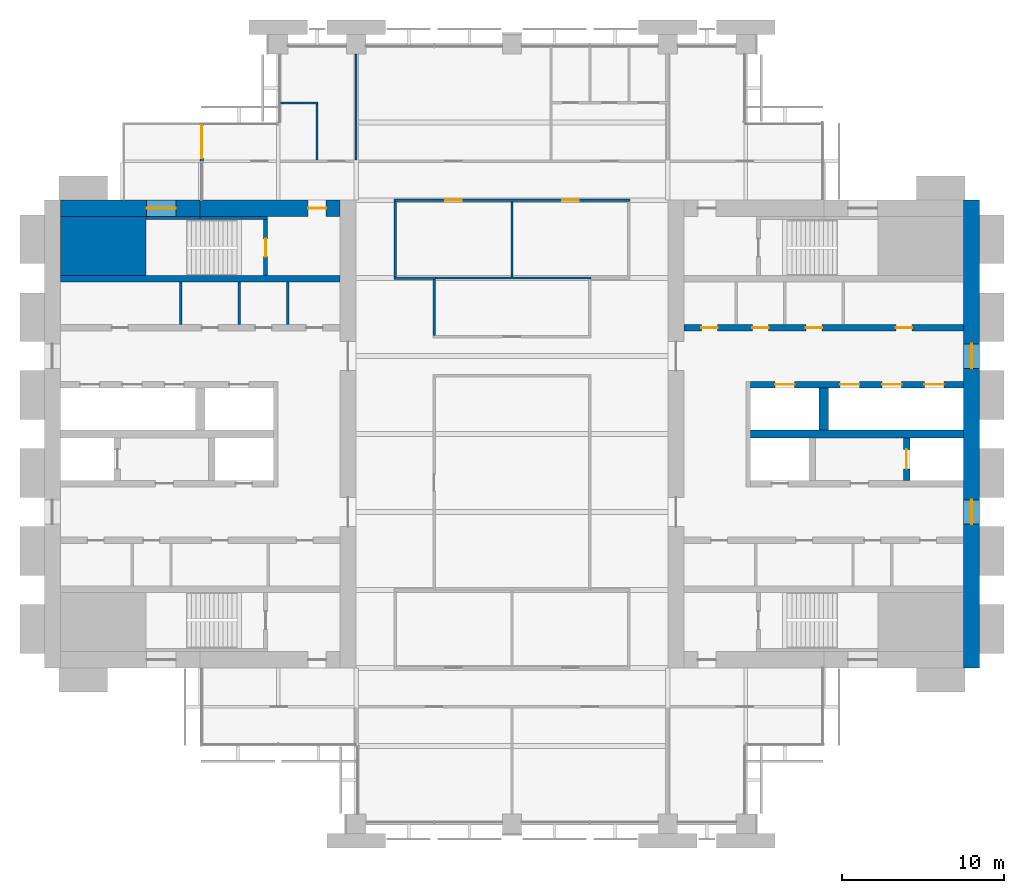
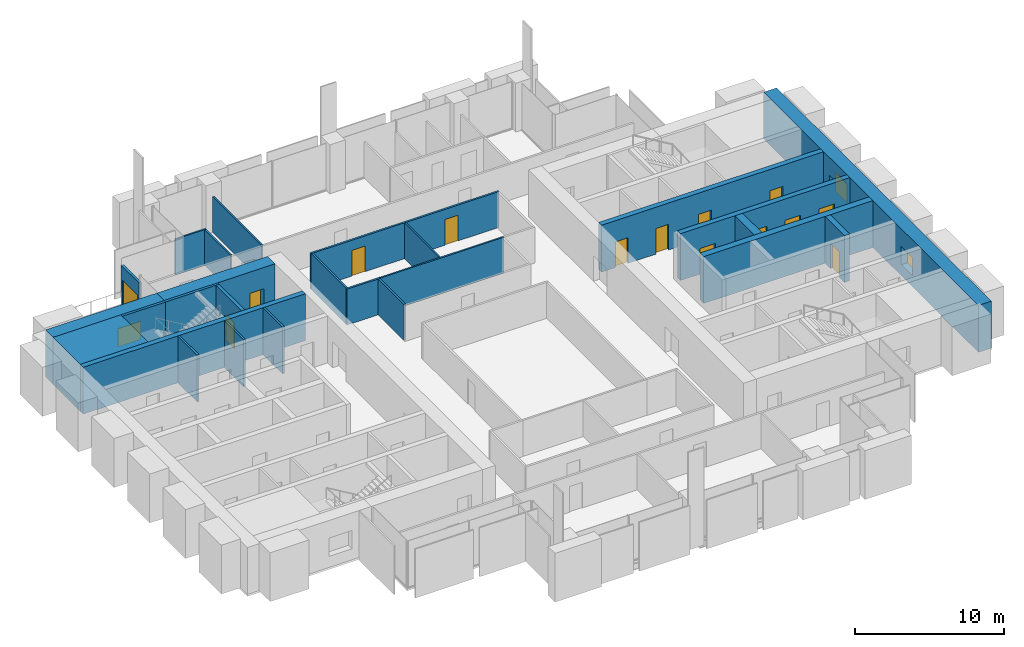
# One storey, part 11 of 14: 26 walls, 14 doors, 3 windows, 17 openings.
"""IFC4 building model written with IfcOpenShell, lengths in metres."""

import ifcopenshell
import ifcopenshell.guid

model = None  # the IFC model being written
_history = None  # IfcOwnerHistory: only IFC2X3 demands one
_inside = {}  # id of a spatial element -> (the spatial element, [elements in it])
_under = {}  # id of a project, library or spatial element -> (it, [spatial elements below it])
_declared = {}  # id of a project -> (the project, [libraries it declares])
_typed = {}  # id of a type object -> (the type object, [elements of that type])
_made_of = {}  # id of a material, layer set ... -> (it, [elements and type objects made of it])


def new_model(schema):
    """Start an empty IFC model of exactly this schema.

    Asked for "IFC4X3", IfcOpenShell would pick the latest addendum, in which some entities
    have other attributes; the version numbers below select the first issue.
    IFC2X3 requires an IfcOwnerHistory on every rooted entity: one is made here for all.
    """
    global model, _history
    if schema == "IFC4X3":
        model = ifcopenshell.file(schema_version=(4, 3, 0, 0))
    else:
        model = ifcopenshell.file(schema=schema)
    _inside.clear()
    _under.clear()
    _declared.clear()
    _typed.clear()
    _made_of.clear()
    _history = None
    if model.schema == "IFC2X3":
        org = make("IfcOrganization", Name="unknown")
        user = make(
            "IfcPersonAndOrganization",
            ThePerson=make("IfcPerson", FamilyName="unknown"),
            TheOrganization=org,
        )
        app = make(
            "IfcApplication",
            ApplicationDeveloper=org,
            Version="unknown",
            ApplicationFullName="unknown",
            ApplicationIdentifier="unknown",
        )
        _history = make(
            "IfcOwnerHistory",
            OwningUser=user,
            OwningApplication=app,
            ChangeAction="ADDED",
            CreationDate=0,
        )
    return model


def make(cls, **values):
    """One entity of the class cls with the attributes given. An attribute that is None is left unset."""
    return model.create_entity(
        cls, **{name: value for name, value in values.items() if value is not None}
    )


def rooted(cls, **values):
    """An entity with a GlobalId (a new one), such as an element, a storey or a relation."""
    return make(cls, GlobalId=ifcopenshell.guid.new(), OwnerHistory=_history, **values)


def si_unit(unit_type, name, prefix=None):
    """IfcSIUnit, for example si_unit("LENGTHUNIT", "METRE", prefix="MILLI")."""
    return make("IfcSIUnit", UnitType=unit_type, Prefix=prefix, Name=name)


def assignment(units):
    """IfcUnitAssignment: the units of a project."""
    return None if units is None else make("IfcUnitAssignment", Units=units)


def point(xyz):
    """IfcCartesianPoint."""
    return None if xyz is None else make("IfcCartesianPoint", Coordinates=xyz)


def direction(xyz):
    """IfcDirection."""
    return None if xyz is None else make("IfcDirection", DirectionRatios=xyz)


def frame(location, z_axis=None, x_axis=None):
    """IfcAxis2Placement3D, a coordinate frame: its origin and axes. An axis left out is left unset."""
    return make(
        "IfcAxis2Placement3D",
        Location=point(location),
        Axis=direction(z_axis),
        RefDirection=direction(x_axis),
    )


def frame_2d(location, x_axis=None):
    """IfcAxis2Placement2D, a coordinate frame in the plane: its origin and x axis."""
    return make(
        "IfcAxis2Placement2D", Location=point(location), RefDirection=direction(x_axis)
    )


def origin():
    """The frame at (0, 0, 0) with its axes left unset."""
    return frame((0.0, 0.0, 0.0))


def place(relative_to, where):
    """IfcLocalPlacement: puts the frame where relative to a parent placement (None: the world)."""
    return make(
        "IfcLocalPlacement", PlacementRelTo=relative_to, RelativePlacement=where
    )


def context(
    kind, dimensions, precision=None, world=None, true_north=None, identifier=None
):
    """IfcGeometricRepresentationContext, for example the 3D "Model" context."""
    return make(
        "IfcGeometricRepresentationContext",
        ContextIdentifier=identifier,
        ContextType=kind,
        CoordinateSpaceDimension=dimensions,
        Precision=precision,
        WorldCoordinateSystem=world,
        TrueNorth=true_north,
    )


def subcontext(parent, identifier, kind, view, scale=None):
    """IfcGeometricRepresentationSubContext, for example "Body" below "Model"."""
    return make(
        "IfcGeometricRepresentationSubContext",
        ContextIdentifier=identifier,
        ContextType=kind,
        ParentContext=parent,
        TargetScale=scale,
        TargetView=view,
    )


def project(units=None, contexts=None):
    """IfcProject with its units and contexts."""
    return rooted(
        "IfcProject",
        Name="project",
        RepresentationContexts=contexts,
        UnitsInContext=assignment(units),
    )


def spatial(cls, under=None, at=None, **own):
    """A site, building, storey or space (cls), placed at a placement, below another one or the project."""
    s = rooted(cls, ObjectPlacement=at, **own)
    if under is not None:
        _under.setdefault(under.id(), (under, []))[1].append(s)
    return s


def profile(cls, at=None, kind="AREA", **sizes):
    """A parametric profile (cls). Its sizes go by their IFC names, for example OverallWidth=200.0."""
    return make(cls, ProfileType=kind, Position=at, **sizes)


def rectangle(**sizes):
    """IfcRectangleProfileDef."""
    return profile("IfcRectangleProfileDef", **sizes)


def extrude(swept, where, along, depth):
    """IfcExtrudedAreaSolid: the profile swept, set in the frame where, extruded along a direction by depth."""
    return make(
        "IfcExtrudedAreaSolid",
        SweptArea=swept,
        Position=where,
        ExtrudedDirection=direction(along),
        Depth=depth,
    )


def shape(context_of_items, identifier, shape_type, items):
    """IfcShapeRepresentation: the items that make up one representation, for example the "Body"."""
    return make(
        "IfcShapeRepresentation",
        ContextOfItems=context_of_items,
        RepresentationIdentifier=identifier,
        RepresentationType=shape_type,
        Items=items,
    )


def material(Name=None, Category=None):
    """IfcMaterial."""
    return make("IfcMaterial", Name=Name, Category=Category)


def layer(
    of_material, thickness, ventilated=None, Name=None, Category=None, Priority=None
):
    """IfcMaterialLayer: one layer of a wall or slab, of a material (None: an air gap)."""
    return make(
        "IfcMaterialLayer",
        Material=of_material,
        LayerThickness=thickness,
        IsVentilated=ventilated,
        Name=Name,
        Category=Category,
        Priority=Priority,
    )


def layer_set(layers, Name=None):
    """IfcMaterialLayerSet."""
    return make("IfcMaterialLayerSet", MaterialLayers=layers, LayerSetName=Name)


def made_of(thing, what):
    """Note that an element or type object is made of a material, layer set ...; save() writes the relation."""
    if what is not None:
        _made_of.setdefault(what.id(), (what, []))[1].append(thing)
    return thing


def type_object(cls, material=None, **own):
    """A type object (cls), such as IfcWallType, which elements share."""
    return made_of(rooted(cls, **own), material)


def element(
    cls,
    number,
    at=None,
    inside=None,
    cuts=None,
    type_object=None,
    material=None,
    context=None,
    identifier="Body",
    shape_type=None,
    held_by="IfcProductDefinitionShape",
    body=None,
    shapes=None,
    **own,
):
    """One element of the class cls, such as IfcWall. Its Tag is "e" and its number.

    at: its placement. inside: the storey or other place that contains it. cuts: it is an
    opening in that element (IfcRelVoidsElement). A single representation is given by context,
    identifier, shape_type and body (its items); several are given by shapes. held_by: the class
    of the entity that holds the representations. save() writes the other relations.
    """
    e = rooted(cls, Tag="e%d" % number, ObjectPlacement=at, **own)
    if body is not None:
        shapes = [shape(context, identifier, shape_type, body)]
    if shapes is not None:
        e.Representation = make(held_by, Representations=shapes)
    if inside is not None:
        _inside.setdefault(inside.id(), (inside, []))[1].append(e)
    if cuts is not None:
        rooted(
            "IfcRelVoidsElement", RelatingBuildingElement=cuts, RelatedOpeningElement=e
        )
    if type_object is not None:
        _typed.setdefault(type_object.id(), (type_object, []))[1].append(e)
    return made_of(e, material)


def fill(opening, filler):
    """IfcRelFillsElement: the door or window that sits in an opening."""
    return rooted(
        "IfcRelFillsElement",
        RelatingOpeningElement=opening,
        RelatedBuildingElement=filler,
    )


def aggregate(whole, parts):
    """IfcRelAggregates: a whole, such as a stair, and the parts it consists of."""
    return rooted("IfcRelAggregates", RelatingObject=whole, RelatedObjects=parts)


def save(model, path):
    """Write the relations noted so far, then the file.

    IfcRelAggregates (storeys below a building ...), IfcRelContainedInSpatialStructure (elements
    in a storey), IfcRelDefinesByType, IfcRelAssociatesMaterial and IfcRelDeclares: one each for
    every whole, place, type object, material and project.
    """
    for whole, parts in _under.values():
        aggregate(whole, parts)
    for where, things in _inside.values():
        rooted(
            "IfcRelContainedInSpatialStructure",
            RelatedElements=things,
            RelatingStructure=where,
        )
    for kind, things in _typed.values():
        rooted("IfcRelDefinesByType", RelatedObjects=things, RelatingType=kind)
    for what, things in _made_of.values():
        rooted("IfcRelAssociatesMaterial", RelatedObjects=things, RelatingMaterial=what)
    for by, libraries in _declared.values():
        rooted("IfcRelDeclares", RelatingContext=by, RelatedDefinitions=libraries)
    model.write(path)


model = new_model("IFC4")

# Units and contexts
model_context = context("Model", 3, precision=1e-05, world=origin(), true_north=direction((0.0, 1.0)))
body_context = subcontext(model_context, "Body", "Model", "MODEL_VIEW")
ifc_project = project(units=[si_unit("LENGTHUNIT", "METRE"), si_unit("AREAUNIT", "SQUARE_METRE"), si_unit("VOLUMEUNIT", "CUBIC_METRE"), si_unit("PLANEANGLEUNIT", "RADIAN"), si_unit("MASSUNIT", "GRAM", prefix="KILO")], contexts=[model_context])

# Site, building, storey
site_placement = place(None, origin())
site = spatial("IfcSite", under=ifc_project, at=site_placement, CompositionType="ELEMENT")
building_placement = place(site_placement, origin())
building = spatial("IfcBuilding", under=site, at=building_placement, Name="Baori Bourse Tower", CompositionType="ELEMENT")
storey_placement = place(building_placement, frame((0.0, 0.0, 168.10009765625)))
storey = spatial("IfcBuildingStorey", under=building, at=storey_placement, Name="L37", CompositionType="ELEMENT", Elevation=168.10009765625)

# Walls
ifc_material_1 = material(Name="Concrete f'c 60 MPa", Category="concrete")
wall_type_1 = type_object("IfcWallType", Name="Core corner block f'c 60", PredefinedType="SHEAR", material=ifc_material_1)
wall_1_placement = place(storey_placement, frame((1.0, 35.574951171875, 0.0), z_axis=(0.0, 0.0, 1.0), x_axis=(1.0, 0.0, 0.0)))
element("IfcWall", 1, at=wall_1_placement, inside=storey, type_object=wall_type_1, Name="Core wall W26", PredefinedType="SHEAR", context=body_context, shape_type="SweptSolid", body=[
    extrude(rectangle(XDim=5.25, YDim=3.64990234375, at=frame_2d((2.625, 0.0))), origin(), (0.0, 0.0, 1.0), 3.83984375),
])
ifc_material_2 = material(Name="Blockwork partition", Category="masonry")
ifc_layer_1 = layer(ifc_material_2, 0.14990234375)
ifc_layer_set_1 = layer_set([ifc_layer_1], Name="Core partition 150")
wall_type_2 = type_object("IfcWallType", Name="Core partition 150", PredefinedType="PARTITIONING", material=ifc_layer_set_1)
for number, where, z_axis, x_axis, name in (
    (2, (8.39990234375, 30.75, 0.0), (0.0, 0.0, 1.0), (0.0, 1.0, 0.0), "Partition wall W22"),
    (3, (12.0, 30.75, 0.0), (0.0, 0.0, 1.0), (0.0, 1.0, 0.0), "Partition wall W23"),
    (4, (15.0, 30.75, 0.0), (0.0, 0.0, 1.0), (0.0, 1.0, 0.0), "Partition wall W24"),
):
    element("IfcWall", number, at=place(storey_placement, frame(where, z_axis=z_axis, x_axis=x_axis)), inside=storey, type_object=wall_type_2, Name=name, PredefinedType="PARTITIONING", context=body_context, shape_type="SweptSolid", body=[
        extrude(rectangle(XDim=2.60009765625, YDim=0.14990234375, at=frame_2d((1.300048828125, 0.0))), origin(), (0.0, 0.0, 1.0), 3.83984375),
    ])

# Wall, opening, window
ifc_material_3 = material(Name="Concrete f'c 60 MPa", Category="concrete")
ifc_layer_2 = layer(ifc_material_3, 1.0)
ifc_layer_set_2 = layer_set([ifc_layer_2], Name="Core wall 1000 f'c 60")
wall_type_3 = type_object("IfcWallType", Name="Core wall 1000 f'c 60", PredefinedType="SHEAR", material=ifc_layer_set_2)
wall_2_placement = place(storey_placement, frame((1.0, 37.89990234375, 0.0), z_axis=(0.0, 0.0, 1.0), x_axis=(1.0, 0.0, 0.0)))
wall_2 = element("IfcWall", 5, at=wall_2_placement, inside=storey, type_object=wall_type_3, Name="Core wall W30", PredefinedType="SHEAR", context=body_context, shape_type="SweptSolid", body=[
    extrude(rectangle(XDim=8.60009765625, YDim=1.0, at=frame_2d((4.300048828125, 0.0))), origin(), (0.0, 0.0, 1.0), 3.83984375),
])
opening_1_placement = place(wall_2_placement, frame((5.300048828125, 0.0, 0.89990234375)))
opening_1 = element("IfcOpeningElement", 6, at=opening_1_placement, cuts=wall_2, Name="Opening L37-KW104", PredefinedType="OPENING", context=body_context, shape_type="SweptSolid", body=[
    extrude(rectangle(XDim=1.800048828125, YDim=1.5, at=frame_2d((0.89990234375, 0.75))), frame((0.0, 0.510009765625, 0.0), z_axis=(0.0, -1.0, 0.0), x_axis=(1.0, 0.0, 0.0)), (0.0, 0.0, 1.0), 1.02001953125),
])
ifc_material_4 = material(Name="Pale anodised aluminium", Category="aluminium")
window_type_1 = type_object("IfcWindowType", Name="Stair window 1800 x 1500", PartitioningType="SINGLE_PANEL", PredefinedType="WINDOW", material=ifc_material_4)
window_1_placement = place(opening_1_placement, origin())
window_1 = element("IfcWindow", 7, at=window_1_placement, inside=storey, type_object=window_type_1, Name="Stair window W L37 4", OverallHeight=1.5, OverallWidth=1.800048828125, PartitioningType="SINGLE_PANEL", PredefinedType="WINDOW", context=body_context, shape_type="SweptSolid", body=[
    extrude(rectangle(XDim=1.800048828125, YDim=1.5, at=frame_2d((0.89990234375, 0.75))), frame((0.0, 0.030029296875, 0.0), z_axis=(0.0, -1.0, 0.0), x_axis=(1.0, 0.0, 0.0)), (0.0, 0.0, 1.0), 0.06005859375),
])
fill(opening_1, window_1)

# Wall, opening, door
wall_3_placement = place(storey_placement, frame((9.60009765625, 37.89990234375, 0.0), z_axis=(0.0, 0.0, 1.0), x_axis=(1.0, 0.0, 0.0)))
wall_3 = element("IfcWall", 8, at=wall_3_placement, inside=storey, type_object=wall_type_3, Name="Core wall W31", PredefinedType="SHEAR", context=body_context, shape_type="SweptSolid", body=[
    extrude(rectangle(XDim=8.599853515625, YDim=1.0, at=frame_2d((4.2998046875, 0.0))), origin(), (0.0, 0.0, 1.0), 3.83984375),
])
opening_2_placement = place(wall_3_placement, frame((6.64990234375, 0.0, 0.0)))
opening_2 = element("IfcOpeningElement", 9, at=opening_2_placement, cuts=wall_3, Name="Opening L37-D104", PredefinedType="OPENING", context=body_context, shape_type="SweptSolid", body=[
    extrude(rectangle(XDim=1.10009765625, YDim=2.10009765625, at=frame_2d((0.550048828125, 1.050048828125))), frame((0.0, 0.510009765625, 0.0), z_axis=(0.0, -1.0, 0.0), x_axis=(1.0, 0.0, 0.0)), (0.0, 0.0, 1.0), 1.02001953125),
])
ifc_material_5 = material(Name="Painted steel door", Category="steel")
door_type_1 = type_object("IfcDoorType", Name="Stair door 1100", OperationType="SINGLE_SWING_LEFT", PredefinedType="DOOR", material=ifc_material_5)
door_1_placement = place(opening_2_placement, origin())
door_1 = element("IfcDoor", 10, at=door_1_placement, inside=storey, type_object=door_type_1, Name="Stair vestibule door B W L37", OperationType="SINGLE_SWING_LEFT", OverallHeight=2.10009765625, OverallWidth=1.10009765625, PredefinedType="DOOR", context=body_context, shape_type="SweptSolid", body=[
    extrude(rectangle(XDim=1.10009765625, YDim=2.10009765625, at=frame_2d((0.550048828125, 1.050048828125))), frame((0.0, 0.02490234375, 0.0), z_axis=(0.0, -1.0, 0.0), x_axis=(1.0, 0.0, 0.0)), (0.0, 0.0, 1.0), 0.050048828125),
])
fill(opening_2, door_1)

# Wall, openings, windows
wall_4_placement = place(storey_placement, frame((57.10009765625, 38.39990234375, 0.0), z_axis=(0.0, 0.0, 1.0), x_axis=(0.0, -1.0, 0.0)))
wall_4 = element("IfcWall", 11, at=wall_4_placement, inside=storey, type_object=wall_type_3, Name="Core wall E01", PredefinedType="SHEAR", context=body_context, shape_type="SweptSolid", body=[
    extrude(rectangle(XDim=28.7998046875, YDim=1.0, at=frame_2d((14.39990234375, 0.0))), origin(), (0.0, 0.0, 1.0), 3.83984375),
])
opening_3_placement = place(wall_4_placement, frame((18.449951171875, 0.0, 0.89990234375)))
opening_3 = element("IfcOpeningElement", 12, at=opening_3_placement, cuts=wall_4, Name="Opening L37-KW201", PredefinedType="OPENING", context=body_context, shape_type="SweptSolid", body=[
    extrude(rectangle(XDim=1.5, YDim=1.5, at=frame_2d((0.75, 0.75))), frame((0.0, 0.510009765625, 0.0), z_axis=(0.0, -1.0, 0.0), x_axis=(1.0, 0.0, 0.0)), (0.0, 0.0, 1.0), 1.02001953125),
])
opening_4_placement = place(wall_4_placement, frame((8.85009765625, 0.0, 0.89990234375)))
opening_4 = element("IfcOpeningElement", 13, at=opening_4_placement, cuts=wall_4, Name="Opening L37-KW202", PredefinedType="OPENING", context=body_context, shape_type="SweptSolid", body=[
    extrude(rectangle(XDim=1.5, YDim=1.5, at=frame_2d((0.75, 0.75))), frame((0.0, 0.510009765625, 0.0), z_axis=(0.0, -1.0, 0.0), x_axis=(1.0, 0.0, 0.0)), (0.0, 0.0, 1.0), 1.02001953125),
])
ifc_material_6 = material(Name="Pale anodised aluminium", Category="aluminium")
window_type_2 = type_object("IfcWindowType", Name="Lobby window 1500 x 1500", PartitioningType="SINGLE_PANEL", PredefinedType="WINDOW", material=ifc_material_6)
window_2_placement = place(opening_3_placement, origin())
window_2 = element("IfcWindow", 14, at=window_2_placement, inside=storey, type_object=window_type_2, Name="Outer wall window E L37 1", OverallHeight=1.5, OverallWidth=1.5, PartitioningType="SINGLE_PANEL", PredefinedType="WINDOW", context=body_context, shape_type="SweptSolid", body=[
    extrude(rectangle(XDim=1.5, YDim=1.5, at=frame_2d((0.75, 0.75))), frame((0.0, 0.030029296875, 0.0), z_axis=(0.0, -1.0, 0.0), x_axis=(1.0, 0.0, 0.0)), (0.0, 0.0, 1.0), 0.06005859375),
])
fill(opening_3, window_2)
window_3_placement = place(opening_4_placement, origin())
window_3 = element("IfcWindow", 15, at=window_3_placement, inside=storey, type_object=window_type_2, Name="Outer wall window E L37 2", OverallHeight=1.5, OverallWidth=1.5, PartitioningType="SINGLE_PANEL", PredefinedType="WINDOW", context=body_context, shape_type="SweptSolid", body=[
    extrude(rectangle(XDim=1.5, YDim=1.5, at=frame_2d((0.75, 0.75))), frame((0.0, 0.030029296875, 0.0), z_axis=(0.0, -1.0, 0.0), x_axis=(1.0, 0.0, 0.0)), (0.0, 0.0, 1.0), 0.06005859375),
])
fill(opening_4, window_3)

# Wall
ifc_material_7 = material(Name="Gypsum board partition")
ifc_layer_3 = layer(ifc_material_7, 0.14990234375)
ifc_layer_set_3 = layer_set([ifc_layer_3], Name="Corridor partition 150")
wall_type_4 = type_object("IfcWallType", Name="Corridor partition 150", PredefinedType="PARTITIONING", material=ifc_layer_set_3)
wall_5_placement = place(storey_placement, frame((21.52490234375, 33.60009765625, 0.0), z_axis=(0.0, 0.0, 1.0), x_axis=(1.0, 0.0, 0.0)))
element("IfcWall", 16, at=wall_5_placement, inside=storey, type_object=wall_type_4, Name="Partition", PredefinedType="PARTITIONING", context=body_context, shape_type="SweptSolid", body=[
    extrude(rectangle(XDim=2.550048828125, YDim=0.14990234375, at=frame_2d((1.27490234375, 0.0))), origin(), (0.0, 0.0, 1.0), 2.935546875),
])

# Wall, openings, doors
wall_6_placement = place(storey_placement, frame((21.52490234375, 38.39990234375, 0.0), z_axis=(0.0, 0.0, 1.0), x_axis=(1.0, 0.0, 0.0)))
wall_6 = element("IfcWall", 17, at=wall_6_placement, inside=storey, type_object=wall_type_4, Name="Partition", PredefinedType="PARTITIONING", context=body_context, shape_type="SweptSolid", body=[
    extrude(rectangle(XDim=14.550048828125, YDim=0.14990234375, at=frame_2d((7.27490234375, 0.0))), origin(), (0.0, 0.0, 1.0), 2.935546875),
])
opening_5_placement = place(wall_6_placement, frame((3.175048828125, 0.0, 0.0)))
opening_5 = element("IfcOpeningElement", 18, at=opening_5_placement, cuts=wall_6, Name="Opening L37-D08", PredefinedType="OPENING", context=body_context, shape_type="SweptSolid", body=[
    extrude(rectangle(XDim=1.0, YDim=2.10009765625, at=frame_2d((0.5, 1.050048828125))), frame((0.0, 0.0849609375, 0.0), z_axis=(0.0, -1.0, 0.0), x_axis=(1.0, 0.0, 0.0)), (0.0, 0.0, 1.0), 0.169921875),
])
opening_6_placement = place(wall_6_placement, frame((10.375, 0.0, 0.0)))
opening_6 = element("IfcOpeningElement", 19, at=opening_6_placement, cuts=wall_6, Name="Opening L37-D09", PredefinedType="OPENING", context=body_context, shape_type="SweptSolid", body=[
    extrude(rectangle(XDim=1.0, YDim=2.10009765625, at=frame_2d((0.5, 1.050048828125))), frame((0.0, 0.0849609375, 0.0), z_axis=(0.0, -1.0, 0.0), x_axis=(1.0, 0.0, 0.0)), (0.0, 0.0, 1.0), 0.169921875),
])
ifc_material_8 = material(Name="Timber door leaf", Category="wood")
door_type_2 = type_object("IfcDoorType", Name="Door 1000 x 2100", OperationType="SINGLE_SWING_LEFT", PredefinedType="DOOR", material=ifc_material_8)
door_2_placement = place(opening_5_placement, origin())
door_2 = element("IfcDoor", 20, at=door_2_placement, inside=storey, type_object=door_type_2, Name="Door", OperationType="SINGLE_SWING_LEFT", OverallHeight=2.10009765625, OverallWidth=1.0, PredefinedType="DOOR", context=body_context, shape_type="SweptSolid", body=[
    extrude(rectangle(XDim=1.0, YDim=2.10009765625, at=frame_2d((0.5, 1.050048828125))), frame((0.0, 0.02490234375, 0.0), z_axis=(0.0, -1.0, 0.0), x_axis=(1.0, 0.0, 0.0)), (0.0, 0.0, 1.0), 0.050048828125),
])
fill(opening_5, door_2)
door_3_placement = place(opening_6_placement, origin())
door_3 = element("IfcDoor", 21, at=door_3_placement, inside=storey, type_object=door_type_2, Name="Door", OperationType="SINGLE_SWING_RIGHT", OverallHeight=2.10009765625, OverallWidth=1.0, PredefinedType="DOOR", context=body_context, shape_type="SweptSolid", body=[
    extrude(rectangle(XDim=1.0, YDim=2.10009765625, at=frame_2d((0.5, 1.050048828125))), frame((0.0, 0.02490234375, 0.0), z_axis=(0.0, -1.0, 0.0), x_axis=(1.0, 0.0, 0.0)), (0.0, 0.0, 1.0), 0.050048828125),
])
fill(opening_6, door_3)

# Walls
wall_7_placement = place(storey_placement, frame((21.60009765625, 33.675048828125, 0.0), z_axis=(0.0, 0.0, 1.0), x_axis=(0.0, 1.0, 0.0)))
element("IfcWall", 22, at=wall_7_placement, inside=storey, type_object=wall_type_4, Name="Partition", PredefinedType="PARTITIONING", context=body_context, shape_type="SweptSolid", body=[
    extrude(rectangle(XDim=4.64990234375, YDim=0.14990234375, at=frame_2d((2.324951171875, 0.0))), origin(), (0.0, 0.0, 1.0), 2.935546875),
])
wall_8_placement = place(storey_placement, frame((24.0, 30.074951171875, 0.0), z_axis=(0.0, 0.0, 1.0), x_axis=(0.0, 1.0, 0.0)))
element("IfcWall", 23, at=wall_8_placement, inside=storey, type_object=wall_type_4, Name="Partition", PredefinedType="PARTITIONING", context=body_context, shape_type="SweptSolid", body=[
    extrude(rectangle(XDim=3.449951171875, YDim=0.14990234375, at=frame_2d((1.72509765625, 0.0))), origin(), (0.0, 0.0, 1.0), 2.935546875),
])

# Wall, opening, door
ifc_material_9 = material(Name="Pale anodised aluminium", Category="aluminium")
ifc_layer_4 = layer(ifc_material_9, 0.199951171875)
ifc_layer_set_4 = layer_set([ifc_layer_4], Name="EW1 External wall bay")
wall_type_5 = type_object("IfcWallType", Name="EW1 External wall bay", PredefinedType="SOLIDWALL", material=ifc_layer_set_4)
wall_9_placement = place(storey_placement, frame((9.699951171875, 43.199951171875, 0.0), z_axis=(0.0, 0.0, 1.0), x_axis=(0.0, -1.0, 0.0)))
wall_9 = element("IfcWall", 24, at=wall_9_placement, inside=storey, type_object=wall_type_5, Name="External wall bay L37 1", PredefinedType="SOLIDWALL", context=body_context, shape_type="SweptSolid", body=[
    extrude(rectangle(XDim=2.39990234375, YDim=0.199951171875, at=frame_2d((1.199951171875, 0.0))), origin(), (0.0, 0.0, 1.0), 3.238037109375),
])
opening_7_placement = place(wall_9_placement, frame((0.199951171875, 0.0, 0.0)))
opening_7 = element("IfcOpeningElement", 25, at=opening_7_placement, cuts=wall_9, Name="Opening L37-D91", PredefinedType="OPENING", context=body_context, shape_type="SweptSolid", body=[
    extrude(rectangle(XDim=2.0, YDim=2.10009765625, at=frame_2d((1.0, 1.050048828125))), frame((0.0, 0.10986328125, 0.0), z_axis=(0.0, -1.0, 0.0), x_axis=(1.0, 0.0, 0.0)), (0.0, 0.0, 1.0), 0.219970703125),
])
ifc_material_10 = material(Name="Pale anodised aluminium", Category="aluminium")
door_type_3 = type_object("IfcDoorType", Name="TR1 Terrace door", OperationType="DOUBLE_DOOR_SINGLE_SWING", PredefinedType="DOOR", material=ifc_material_10)
door_4_placement = place(opening_7_placement, origin())
door_4 = element("IfcDoor", 26, at=door_4_placement, inside=storey, type_object=door_type_3, Name="Terrace door L37 1", OperationType="SINGLE_SWING_LEFT", OverallHeight=2.10009765625, OverallWidth=2.0, PredefinedType="DOOR", context=body_context, shape_type="SweptSolid", body=[
    extrude(rectangle(XDim=2.0, YDim=2.10009765625, at=frame_2d((1.0, 1.050048828125))), frame((0.0, 0.02490234375, 0.0), z_axis=(0.0, -1.0, 0.0), x_axis=(1.0, 0.0, 0.0)), (0.0, 0.0, 1.0), 0.050048828125),
])
fill(opening_7, door_4)

# Walls
ifc_material_11 = material(Name="Gypsum board partition")
ifc_layer_5 = layer(ifc_material_11, 0.125)
ifc_layer_set_5 = layer_set([ifc_layer_5], Name="Partition 125")
wall_type_6 = type_object("IfcWallType", Name="Partition 125", PredefinedType="PARTITIONING", material=ifc_layer_set_5)
wall_10_placement = place(storey_placement, frame((24.074951171875, 33.60009765625, 0.0), z_axis=(0.0, 0.0, 1.0), x_axis=(1.0, 0.0, 0.0)))
element("IfcWall", 27, at=wall_10_placement, inside=storey, type_object=wall_type_6, Name="Partition", PredefinedType="PARTITIONING", context=body_context, shape_type="SweptSolid", body=[
    extrude(rectangle(XDim=9.60009765625, YDim=0.125, at=frame_2d((4.800048828125, 0.0))), origin(), (0.0, 0.0, 1.0), 2.935546875),
])
wall_11_placement = place(storey_placement, frame((14.5, 44.39990234375, 0.0), z_axis=(0.0, 0.0, 1.0), x_axis=(1.0, 0.0, 0.0)))
element("IfcWall", 28, at=wall_11_placement, inside=storey, type_object=wall_type_6, Name="Partition", PredefinedType="PARTITIONING", context=body_context, shape_type="SweptSolid", body=[
    extrude(rectangle(XDim=2.362548828125, YDim=0.125, at=frame_2d((1.18115234375, 0.0))), origin(), (0.0, 0.0, 1.0), 2.935546875),
])
wall_12_placement = place(storey_placement, frame((16.800048828125, 40.875, 0.0), z_axis=(0.0, 0.0, 1.0), x_axis=(0.0, 1.0, 0.0)))
element("IfcWall", 29, at=wall_12_placement, inside=storey, type_object=wall_type_6, Name="Partition", PredefinedType="PARTITIONING", context=body_context, shape_type="SweptSolid", body=[
    extrude(rectangle(XDim=3.46240234375, YDim=0.125, at=frame_2d((1.731201171875, 0.0))), origin(), (0.0, 0.0, 1.0), 2.935546875),
])
wall_13_placement = place(storey_placement, frame((19.199951171875, 40.875, 0.0), z_axis=(0.0, 0.0, 1.0), x_axis=(0.0, 1.0, 0.0)))
element("IfcWall", 30, at=wall_13_placement, inside=storey, type_object=wall_type_6, Name="Partition", PredefinedType="PARTITIONING", context=body_context, shape_type="SweptSolid", body=[
    extrude(rectangle(XDim=6.52490234375, YDim=0.125, at=frame_2d((3.262451171875, 0.0))), origin(), (0.0, 0.0, 1.0), 2.935546875),
])
wall_14_placement = place(storey_placement, frame((28.800048828125, 33.66259765625, 0.0), z_axis=(0.0, 0.0, 1.0), x_axis=(0.0, 1.0, 0.0)))
element("IfcWall", 31, at=wall_14_placement, inside=storey, type_object=wall_type_6, Name="Partition", PredefinedType="PARTITIONING", context=body_context, shape_type="SweptSolid", body=[
    extrude(rectangle(XDim=4.662353515625, YDim=0.125, at=frame_2d((2.3310546875, 0.0))), origin(), (0.0, 0.0, 1.0), 2.935546875),
])
ifc_material_12 = material(Name="Concrete f'c 60 MPa", Category="concrete")
ifc_layer_6 = layer(ifc_material_12, 0.199951171875)
ifc_layer_set_6 = layer_set([ifc_layer_6], Name="Shaft wall 200 f'c 60")
wall_type_7 = type_object("IfcWallType", Name="Shaft wall 200 f'c 60", PredefinedType="SHEAR", material=ifc_layer_set_6)
wall_15_placement = place(storey_placement, frame((6.25, 37.300048828125, 0.0), z_axis=(0.0, 0.0, 1.0), x_axis=(1.0, 0.0, 0.0)))
element("IfcWall", 32, at=wall_15_placement, inside=storey, type_object=wall_type_7, Name="Core wall W28", PredefinedType="SHEAR", context=body_context, shape_type="SweptSolid", body=[
    extrude(rectangle(XDim=3.35009765625, YDim=0.199951171875, at=frame_2d((1.675048828125, 0.0))), origin(), (0.0, 0.0, 1.0), 3.83984375),
])
wall_16_placement = place(storey_placement, frame((9.60009765625, 37.300048828125, 0.0), z_axis=(0.0, 0.0, 1.0), x_axis=(1.0, 0.0, 0.0)))
element("IfcWall", 33, at=wall_16_placement, inside=storey, type_object=wall_type_7, Name="Core wall W29", PredefinedType="SHEAR", context=body_context, shape_type="SweptSolid", body=[
    extrude(rectangle(XDim=4.14990234375, YDim=0.199951171875, at=frame_2d((2.074951171875, 0.0))), origin(), (0.0, 0.0, 1.0), 3.83984375),
])

# Wall, opening, door
ifc_material_13 = material(Name="Concrete f'c 60 MPa", Category="concrete")
ifc_layer_7 = layer(ifc_material_13, 0.25)
ifc_layer_set_7 = layer_set([ifc_layer_7], Name="Shaft wall 250 f'c 60")
wall_type_8 = type_object("IfcWallType", Name="Shaft wall 250 f'c 60", PredefinedType="SHEAR", material=ifc_layer_set_7)
wall_17_placement = place(storey_placement, frame((13.625, 33.75, 0.0), z_axis=(0.0, 0.0, 1.0), x_axis=(0.0, 1.0, 0.0)))
wall_17 = element("IfcWall", 34, at=wall_17_placement, inside=storey, type_object=wall_type_8, Name="Core wall W27", PredefinedType="SHEAR", context=body_context, shape_type="SweptSolid", body=[
    extrude(rectangle(XDim=3.449951171875, YDim=0.25, at=frame_2d((1.72509765625, 0.0))), origin(), (0.0, 0.0, 1.0), 3.83984375),
])
opening_8_placement = place(wall_17_placement, frame((1.175048828125, 0.0, 0.0)))
opening_8 = element("IfcOpeningElement", 35, at=opening_8_placement, cuts=wall_17, Name="Opening L37-D103", PredefinedType="OPENING", context=body_context, shape_type="SweptSolid", body=[
    extrude(rectangle(XDim=1.10009765625, YDim=2.10009765625, at=frame_2d((0.550048828125, 1.050048828125))), frame((0.0, 0.135009765625, 0.0), z_axis=(0.0, -1.0, 0.0), x_axis=(1.0, 0.0, 0.0)), (0.0, 0.0, 1.0), 0.27001953125),
])
door_5_placement = place(opening_8_placement, origin())
door_5 = element("IfcDoor", 36, at=door_5_placement, inside=storey, type_object=door_type_1, Name="Stair door B W L37", OperationType="SINGLE_SWING_LEFT", OverallHeight=2.10009765625, OverallWidth=1.10009765625, PredefinedType="DOOR", context=body_context, shape_type="SweptSolid", body=[
    extrude(rectangle(XDim=1.10009765625, YDim=2.10009765625, at=frame_2d((0.550048828125, 1.050048828125))), frame((0.0, 0.02490234375, 0.0), z_axis=(0.0, -1.0, 0.0), x_axis=(1.0, 0.0, 0.0)), (0.0, 0.0, 1.0), 0.050048828125),
])
fill(opening_8, door_5)

# Wall
ifc_material_14 = material(Name="Concrete f'c 60 MPa", Category="concrete")
ifc_layer_8 = layer(ifc_material_14, 0.39990234375)
ifc_layer_set_8 = layer_set([ifc_layer_8], Name="Shaft wall 400 f'c 60")
wall_type_9 = type_object("IfcWallType", Name="Shaft wall 400 f'c 60", PredefinedType="SHEAR", material=ifc_layer_set_8)
wall_18_placement = place(storey_placement, frame((1.0, 33.550048828125, 0.0), z_axis=(0.0, 0.0, 1.0), x_axis=(1.0, 0.0, 0.0)))
element("IfcWall", 37, at=wall_18_placement, inside=storey, type_object=wall_type_9, Name="Core wall W25", PredefinedType="SHEAR", context=body_context, shape_type="SweptSolid", body=[
    extrude(rectangle(XDim=17.199951171875, YDim=0.39990234375, at=frame_2d((8.60009765625, 0.0))), origin(), (0.0, 0.0, 1.0), 3.83984375),
])

# Wall, opening, door
wall_19_placement = place(storey_placement, frame((53.10009765625, 21.14990234375, 0.0), z_axis=(0.0, 0.0, 1.0), x_axis=(0.0, 1.0, 0.0)))
wall_19 = element("IfcWall", 38, at=wall_19_placement, inside=storey, type_object=wall_type_9, Name="Core wall E16", PredefinedType="SHEAR", context=body_context, shape_type="SweptSolid", body=[
    extrude(rectangle(XDim=2.60009765625, YDim=0.39990234375, at=frame_2d((1.300048828125, 0.0))), origin(), (0.0, 0.0, 1.0), 3.83984375),
])
opening_9_placement = place(wall_19_placement, frame((0.699951171875, 0.0, 0.0)))
opening_9 = element("IfcOpeningElement", 39, at=opening_9_placement, cuts=wall_19, Name="Opening L37-D221", PredefinedType="OPENING", context=body_context, shape_type="SweptSolid", body=[
    extrude(rectangle(XDim=1.199951171875, YDim=2.10009765625, at=frame_2d((0.60009765625, 1.050048828125))), frame((0.0, 0.2099609375, 0.0), z_axis=(0.0, -1.0, 0.0), x_axis=(1.0, 0.0, 0.0)), (0.0, 0.0, 1.0), 0.419921875),
])
ifc_material_15 = material(Name="Stainless steel door", Category="steel")
door_type_4 = type_object("IfcDoorType", Name="Lift landing door", OperationType="DOUBLE_DOOR_SLIDING", PredefinedType="DOOR", material=ifc_material_15)
door_6_placement = place(opening_9_placement, origin())
door_6 = element("IfcDoor", 40, at=door_6_placement, inside=storey, type_object=door_type_4, Name="Lift landing door FF2 E L37", OperationType="DOUBLE_DOOR_SLIDING", OverallHeight=2.10009765625, OverallWidth=1.199951171875, PredefinedType="DOOR", context=body_context, shape_type="SweptSolid", body=[
    extrude(rectangle(XDim=1.199951171875, YDim=2.10009765625, at=frame_2d((0.60009765625, 1.050048828125))), frame((0.0, 0.02490234375, 0.0), z_axis=(0.0, -1.0, 0.0), x_axis=(1.0, 0.0, 0.0)), (0.0, 0.0, 1.0), 0.050048828125),
])
fill(opening_9, door_6)

# Wall, openings, doors
wall_20_placement = place(storey_placement, frame((43.5, 27.050048828125, 0.0), z_axis=(0.0, 0.0, 1.0), x_axis=(1.0, 0.0, 0.0)))
wall_20 = element("IfcWall", 41, at=wall_20_placement, inside=storey, type_object=wall_type_9, Name="Core wall E20", PredefinedType="SHEAR", context=body_context, shape_type="SweptSolid", body=[
    extrude(rectangle(XDim=13.10009765625, YDim=0.39990234375, at=frame_2d((6.550048828125, 0.0))), origin(), (0.0, 0.0, 1.0), 3.83984375),
])
opening_10_placement = place(wall_20_placement, frame((10.699951171875, 0.0, 0.0)))
opening_10 = element("IfcOpeningElement", 42, at=opening_10_placement, cuts=wall_20, Name="Opening L37-D217", PredefinedType="OPENING", context=body_context, shape_type="SweptSolid", body=[
    extrude(rectangle(XDim=1.199951171875, YDim=2.10009765625, at=frame_2d((0.60009765625, 1.050048828125))), frame((0.0, 0.2099609375, 0.0), z_axis=(0.0, -1.0, 0.0), x_axis=(1.0, 0.0, 0.0)), (0.0, 0.0, 1.0), 0.419921875),
])
opening_11_placement = place(wall_20_placement, frame((8.10009765625, 0.0, 0.0)))
opening_11 = element("IfcOpeningElement", 43, at=opening_11_placement, cuts=wall_20, Name="Opening L37-D218", PredefinedType="OPENING", context=body_context, shape_type="SweptSolid", body=[
    extrude(rectangle(XDim=1.199951171875, YDim=2.10009765625, at=frame_2d((0.60009765625, 1.050048828125))), frame((0.0, 0.2099609375, 0.0), z_axis=(0.0, -1.0, 0.0), x_axis=(1.0, 0.0, 0.0)), (0.0, 0.0, 1.0), 0.419921875),
])
opening_12_placement = place(wall_20_placement, frame((5.5, 0.0, 0.0)))
opening_12 = element("IfcOpeningElement", 44, at=opening_12_placement, cuts=wall_20, Name="Opening L37-D219", PredefinedType="OPENING", context=body_context, shape_type="SweptSolid", body=[
    extrude(rectangle(XDim=1.199951171875, YDim=2.10009765625, at=frame_2d((0.60009765625, 1.050048828125))), frame((0.0, 0.2099609375, 0.0), z_axis=(0.0, -1.0, 0.0), x_axis=(1.0, 0.0, 0.0)), (0.0, 0.0, 1.0), 0.419921875),
])
opening_13_placement = place(wall_20_placement, frame((1.5, 0.0, 0.0)))
opening_13 = element("IfcOpeningElement", 45, at=opening_13_placement, cuts=wall_20, Name="Opening L37-D220", PredefinedType="OPENING", context=body_context, shape_type="SweptSolid", body=[
    extrude(rectangle(XDim=1.199951171875, YDim=2.10009765625, at=frame_2d((0.60009765625, 1.050048828125))), frame((0.0, 0.2099609375, 0.0), z_axis=(0.0, -1.0, 0.0), x_axis=(1.0, 0.0, 0.0)), (0.0, 0.0, 1.0), 0.419921875),
])
door_7_placement = place(opening_10_placement, origin())
door_7 = element("IfcDoor", 46, at=door_7_placement, inside=storey, type_object=door_type_4, Name="Lift landing door SH1 E L37", OperationType="DOUBLE_DOOR_SLIDING", OverallHeight=2.10009765625, OverallWidth=1.199951171875, PredefinedType="DOOR", context=body_context, shape_type="SweptSolid", body=[
    extrude(rectangle(XDim=1.199951171875, YDim=2.10009765625, at=frame_2d((0.60009765625, 1.050048828125))), frame((0.0, 0.02490234375, 0.0), z_axis=(0.0, -1.0, 0.0), x_axis=(1.0, 0.0, 0.0)), (0.0, 0.0, 1.0), 0.050048828125),
])
fill(opening_10, door_7)
door_8_placement = place(opening_11_placement, origin())
door_8 = element("IfcDoor", 47, at=door_8_placement, inside=storey, type_object=door_type_4, Name="Lift landing door SH2 E L37", OperationType="DOUBLE_DOOR_SLIDING", OverallHeight=2.10009765625, OverallWidth=1.199951171875, PredefinedType="DOOR", context=body_context, shape_type="SweptSolid", body=[
    extrude(rectangle(XDim=1.199951171875, YDim=2.10009765625, at=frame_2d((0.60009765625, 1.050048828125))), frame((0.0, 0.02490234375, 0.0), z_axis=(0.0, -1.0, 0.0), x_axis=(1.0, 0.0, 0.0)), (0.0, 0.0, 1.0), 0.050048828125),
])
fill(opening_11, door_8)
door_9_placement = place(opening_12_placement, origin())
door_9 = element("IfcDoor", 48, at=door_9_placement, inside=storey, type_object=door_type_4, Name="Lift landing door SH3 E L37", OperationType="DOUBLE_DOOR_SLIDING", OverallHeight=2.10009765625, OverallWidth=1.199951171875, PredefinedType="DOOR", context=body_context, shape_type="SweptSolid", body=[
    extrude(rectangle(XDim=1.199951171875, YDim=2.10009765625, at=frame_2d((0.60009765625, 1.050048828125))), frame((0.0, 0.02490234375, 0.0), z_axis=(0.0, -1.0, 0.0), x_axis=(1.0, 0.0, 0.0)), (0.0, 0.0, 1.0), 0.050048828125),
])
fill(opening_12, door_9)
door_10_placement = place(opening_13_placement, origin())
door_10 = element("IfcDoor", 49, at=door_10_placement, inside=storey, type_object=door_type_4, Name="Lift landing door SV1 E L37", OperationType="DOUBLE_DOOR_SLIDING", OverallHeight=2.10009765625, OverallWidth=1.199951171875, PredefinedType="DOOR", context=body_context, shape_type="SweptSolid", body=[
    extrude(rectangle(XDim=1.199951171875, YDim=2.10009765625, at=frame_2d((0.60009765625, 1.050048828125))), frame((0.0, 0.02490234375, 0.0), z_axis=(0.0, -1.0, 0.0), x_axis=(1.0, 0.0, 0.0)), (0.0, 0.0, 1.0), 0.050048828125),
])
fill(opening_13, door_10)

wall_21_placement = place(storey_placement, frame((39.39990234375, 30.550048828125, 0.0), z_axis=(0.0, 0.0, 1.0), x_axis=(1.0, 0.0, 0.0)))
wall_21 = element("IfcWall", 50, at=wall_21_placement, inside=storey, type_object=wall_type_9, Name="Core wall E21", PredefinedType="SHEAR", context=body_context, shape_type="SweptSolid", body=[
    extrude(rectangle(XDim=17.2001953125, YDim=0.39990234375, at=frame_2d((8.60009765625, 0.0))), origin(), (0.0, 0.0, 1.0), 3.83984375),
])
opening_14_placement = place(wall_21_placement, frame((13.03759765625, 0.0, 0.0)))
opening_14 = element("IfcOpeningElement", 51, at=opening_14_placement, cuts=wall_21, Name="Opening L37-D209", PredefinedType="OPENING", context=body_context, shape_type="SweptSolid", body=[
    extrude(rectangle(XDim=1.0, YDim=2.10009765625, at=frame_2d((0.5, 1.050048828125))), frame((0.0, 0.2099609375, 0.0), z_axis=(0.0, -1.0, 0.0), x_axis=(1.0, 0.0, 0.0)), (0.0, 0.0, 1.0), 0.419921875),
])
opening_15_placement = place(wall_21_placement, frame((7.5, 0.0, 0.0)))
opening_15 = element("IfcOpeningElement", 52, at=opening_15_placement, cuts=wall_21, Name="Opening L37-D210", PredefinedType="OPENING", context=body_context, shape_type="SweptSolid", body=[
    extrude(rectangle(XDim=1.0, YDim=2.10009765625, at=frame_2d((0.5, 1.050048828125))), frame((0.0, 0.2099609375, 0.0), z_axis=(0.0, -1.0, 0.0), x_axis=(1.0, 0.0, 0.0)), (0.0, 0.0, 1.0), 0.419921875),
])
opening_16_placement = place(wall_21_placement, frame((4.199951171875, 0.0, 0.0)))
opening_16 = element("IfcOpeningElement", 53, at=opening_16_placement, cuts=wall_21, Name="Opening L37-D211", PredefinedType="OPENING", context=body_context, shape_type="SweptSolid", body=[
    extrude(rectangle(XDim=1.0, YDim=2.10009765625, at=frame_2d((0.5, 1.050048828125))), frame((0.0, 0.2099609375, 0.0), z_axis=(0.0, -1.0, 0.0), x_axis=(1.0, 0.0, 0.0)), (0.0, 0.0, 1.0), 0.419921875),
])
opening_17_placement = place(wall_21_placement, frame((1.0625, 0.0, 0.0)))
opening_17 = element("IfcOpeningElement", 54, at=opening_17_placement, cuts=wall_21, Name="Opening L37-D212", PredefinedType="OPENING", context=body_context, shape_type="SweptSolid", body=[
    extrude(rectangle(XDim=1.0, YDim=2.10009765625, at=frame_2d((0.5, 1.050048828125))), frame((0.0, 0.2099609375, 0.0), z_axis=(0.0, -1.0, 0.0), x_axis=(1.0, 0.0, 0.0)), (0.0, 0.0, 1.0), 0.419921875),
])
ifc_material_16 = material(Name="Painted steel door", Category="steel")
door_type_5 = type_object("IfcDoorType", Name="Core door 1000", OperationType="SINGLE_SWING_LEFT", PredefinedType="DOOR", material=ifc_material_16)
door_11_placement = place(opening_14_placement, origin())
door_11 = element("IfcDoor", 55, at=door_11_placement, inside=storey, type_object=door_type_5, Name="Men'S Wc door E L37", OperationType="SINGLE_SWING_LEFT", OverallHeight=2.10009765625, OverallWidth=1.0, PredefinedType="DOOR", context=body_context, shape_type="SweptSolid", body=[
    extrude(rectangle(XDim=1.0, YDim=2.10009765625, at=frame_2d((0.5, 1.050048828125))), frame((0.0, 0.02490234375, 0.0), z_axis=(0.0, -1.0, 0.0), x_axis=(1.0, 0.0, 0.0)), (0.0, 0.0, 1.0), 0.050048828125),
])
fill(opening_14, door_11)
door_12_placement = place(opening_15_placement, origin())
door_12 = element("IfcDoor", 56, at=door_12_placement, inside=storey, type_object=door_type_5, Name="Women'S Wc door E L37", OperationType="SINGLE_SWING_LEFT", OverallHeight=2.10009765625, OverallWidth=1.0, PredefinedType="DOOR", context=body_context, shape_type="SweptSolid", body=[
    extrude(rectangle(XDim=1.0, YDim=2.10009765625, at=frame_2d((0.5, 1.050048828125))), frame((0.0, 0.02490234375, 0.0), z_axis=(0.0, -1.0, 0.0), x_axis=(1.0, 0.0, 0.0)), (0.0, 0.0, 1.0), 0.050048828125),
])
fill(opening_15, door_12)
door_13_placement = place(opening_16_placement, origin())
door_13 = element("IfcDoor", 57, at=door_13_placement, inside=storey, type_object=door_type_5, Name="Accessible Wc door E L37", OperationType="SINGLE_SWING_LEFT", OverallHeight=2.10009765625, OverallWidth=1.0, PredefinedType="DOOR", context=body_context, shape_type="SweptSolid", body=[
    extrude(rectangle(XDim=1.0, YDim=2.10009765625, at=frame_2d((0.5, 1.050048828125))), frame((0.0, 0.02490234375, 0.0), z_axis=(0.0, -1.0, 0.0), x_axis=(1.0, 0.0, 0.0)), (0.0, 0.0, 1.0), 0.050048828125),
])
fill(opening_16, door_13)
door_14_placement = place(opening_17_placement, origin())
door_14 = element("IfcDoor", 58, at=door_14_placement, inside=storey, type_object=door_type_5, Name="Janitor'S Closet door E L37", OperationType="SINGLE_SWING_LEFT", OverallHeight=2.10009765625, OverallWidth=1.0, PredefinedType="DOOR", context=body_context, shape_type="SweptSolid", body=[
    extrude(rectangle(XDim=1.0, YDim=2.10009765625, at=frame_2d((0.5, 1.050048828125))), frame((0.0, 0.02490234375, 0.0), z_axis=(0.0, -1.0, 0.0), x_axis=(1.0, 0.0, 0.0)), (0.0, 0.0, 1.0), 0.050048828125),
])
fill(opening_17, door_14)

# Walls
ifc_material_17 = material(Name="Concrete f'c 60 MPa", Category="concrete")
ifc_layer_9 = layer(ifc_material_17, 0.5)
ifc_layer_set_9 = layer_set([ifc_layer_9], Name="Shaft wall 500 f'c 60")
wall_type_10 = type_object("IfcWallType", Name="Shaft wall 500 f'c 60", PredefinedType="SHEAR", material=ifc_layer_set_9)
wall_22_placement = place(storey_placement, frame((43.5, 24.0, 0.0), z_axis=(0.0, 0.0, 1.0), x_axis=(1.0, 0.0, 0.0)))
element("IfcWall", 59, at=wall_22_placement, inside=storey, type_object=wall_type_10, Name="Core wall E18", PredefinedType="SHEAR", context=body_context, shape_type="SweptSolid", body=[
    extrude(rectangle(XDim=13.10009765625, YDim=0.5, at=frame_2d((6.550048828125, 0.0))), origin(), (0.0, 0.0, 1.0), 3.83984375),
])
ifc_material_18 = material(Name="Concrete f'c 60 MPa", Category="concrete")
ifc_layer_10 = layer(ifc_material_18, 0.60009765625)
ifc_layer_set_10 = layer_set([ifc_layer_10], Name="Shaft wall 600 f'c 60")
wall_type_11 = type_object("IfcWallType", Name="Shaft wall 600 f'c 60", PredefinedType="SHEAR", material=ifc_layer_set_10)
wall_23_placement = place(storey_placement, frame((48.0, 24.25, 0.0), z_axis=(0.0, 0.0, 1.0), x_axis=(0.0, 1.0, 0.0)))
element("IfcWall", 60, at=wall_23_placement, inside=storey, type_object=wall_type_11, Name="Core wall E19", PredefinedType="SHEAR", context=body_context, shape_type="SweptSolid", body=[
    extrude(rectangle(XDim=2.60009765625, YDim=0.60009765625, at=frame_2d((1.300048828125, 0.0))), origin(), (0.0, 0.0, 1.0), 3.83984375),
])

save(model, "model.ifc")
